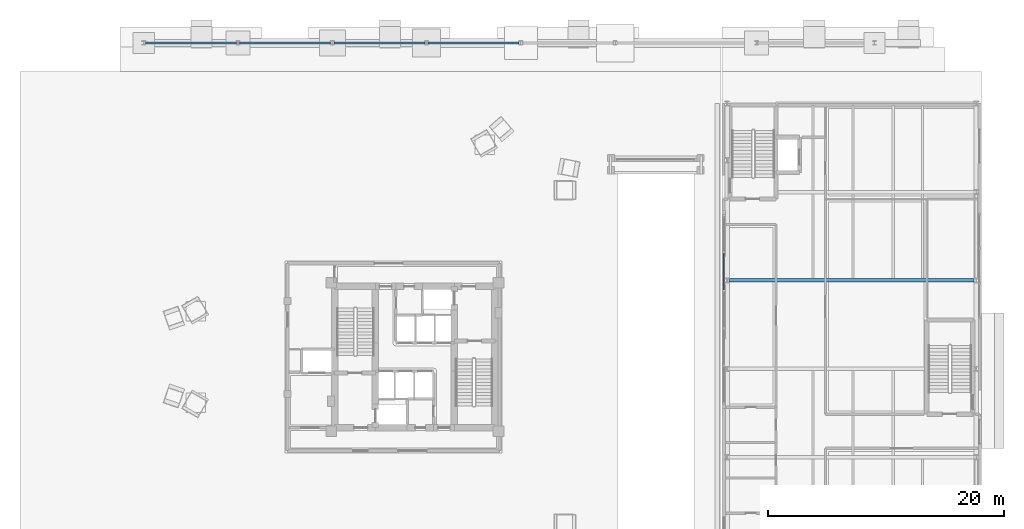
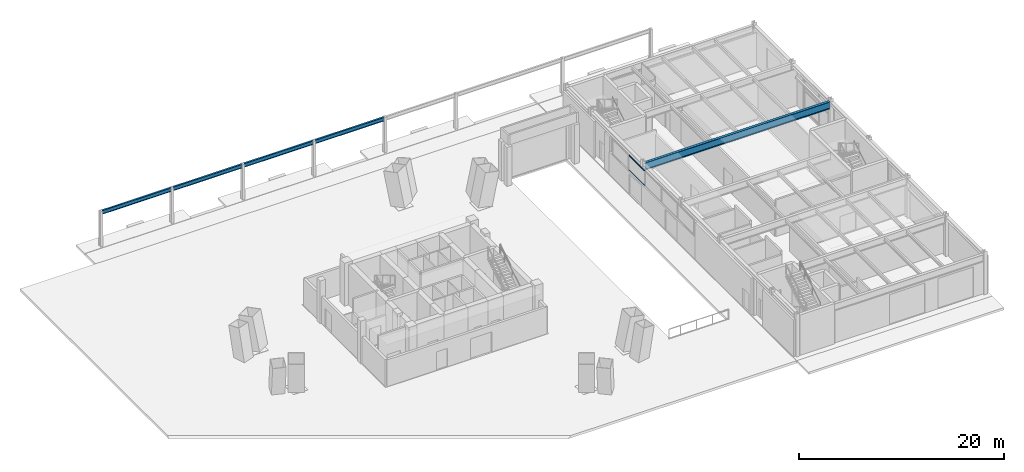
# One storey, part 8 of 21: 5 beams, 2 members, 1 element without a shape of its own.
"""IFC4 building model written with IfcOpenShell, lengths in metres."""

from ifc_helpers import new_model, si_unit, direction, frame, origin, origin_2d, place, context, subcontext, project, spatial, hollow_rectangle, i_section, extrude, material, layer, layer_set, material_profile, profile_set, type_object, element, aggregate, save


model = new_model("IFC4")

# Units and contexts
model_context = context("Model", 3, precision=1e-05, world=origin(), true_north=direction((0.0, 1.0)))
body_context = subcontext(model_context, "Body", "Model", "MODEL_VIEW")
ifc_project = project(units=[si_unit("LENGTHUNIT", "METRE"), si_unit("AREAUNIT", "SQUARE_METRE"), si_unit("VOLUMEUNIT", "CUBIC_METRE"), si_unit("PLANEANGLEUNIT", "RADIAN"), si_unit("MASSUNIT", "GRAM", prefix="KILO")], contexts=[model_context])

# Site, building, storey
site_placement = place(None, origin())
site = spatial("IfcSite", under=ifc_project, at=site_placement, CompositionType="ELEMENT")
building_placement = place(site_placement, origin())
building = spatial("IfcBuilding", under=site, at=building_placement, Name="Mersakhor Tower and Convention Hall", CompositionType="ELEMENT")
storey_placement = place(building_placement, origin())
storey = spatial("IfcBuildingStorey", under=building, at=storey_placement, Name="L00", CompositionType="ELEMENT", Elevation=0.0)

# Beams
ifc_material_1 = material(Name="Steel S355", Category="steel")
ifc_material_profile_1 = material_profile(ifc_material_1, i_section(OverallWidth=0.19140625, OverallDepth=0.4599609375, WebThickness=0.010009765625, FlangeThickness=0.01611328125, at=origin_2d()), Name="UB 457x191x82")
ifc_profile_set_1 = profile_set([ifc_material_profile_1], Name="Steel S355")
beam_type_1 = type_object("IfcBeamType", Name="BM-FB-457", PredefinedType="BEAM", material=ifc_profile_set_1)
for number, where, z_axis, x_axis, name in (
    (1, (6.139892578125, 53.39990234375, 3.969970703125), (1.0, 0.0, 0.0), (0.0, 1.0, 0.0), "Forecourt Canopy Girder CB-1"),
    (2, (14.139892578125, 53.39990234375, 3.969970703125), (1.0, 0.0, 0.0), (0.0, 1.0, 0.0), "Forecourt Canopy Girder CB-2"),
    (3, (22.139892578125, 53.39990234375, 3.969970703125), (1.0, 0.0, 0.0), (0.0, 1.0, 0.0), "Forecourt Canopy Girder CB-3"),
    (4, (30.139892578125, 53.39990234375, 3.969970703125), (1.0, 0.0, 0.0), (0.0, 1.0, 0.0), "Forecourt Canopy Girder CB-4"),
):
    element("IfcBeam", number, at=place(storey_placement, frame(where, z_axis=z_axis, x_axis=x_axis)), inside=storey, type_object=beam_type_1, Name=name, PredefinedType="BEAM", context=body_context, shape_type="SweptSolid", body=[
        extrude(i_section(OverallWidth=0.19140625, OverallDepth=0.4599609375, WebThickness=0.010009765625, FlangeThickness=0.01611328125, at=origin_2d()), origin(), (0.0, 0.0, 1.0), 7.72021484375),
    ])
ifc_material_2 = material(Name="Steel S355", Category="steel")
ifc_material_profile_2 = material_profile(ifc_material_2, i_section(OverallWidth=0.293701171875, OverallDepth=0.850830078125, WebThickness=0.01611328125, FlangeThickness=0.02685546875, at=origin_2d()), Name="UB 838x292x226")
ifc_profile_set_2 = profile_set([ifc_material_profile_2], Name="Steel S355")
beam_type_2 = type_object("IfcBeamType", Name="BM-PR-838", PredefinedType="BEAM", material=ifc_profile_set_2)
beam_placement = place(storey_placement, frame((55.679931640625, 33.25, 4.3544921875), z_axis=(1.0, 0.0, 0.0), x_axis=(0.0, 1.0, 0.0)))
element("IfcBeam", 5, at=beam_placement, inside=storey, type_object=beam_type_2, Name="Convention L00 Clear-Span Girder CG-5", PredefinedType="BEAM", context=body_context, shape_type="SweptSolid", body=[
    extrude(i_section(OverallWidth=0.293701171875, OverallDepth=0.850830078125, WebThickness=0.01611328125, FlangeThickness=0.02685546875, at=origin_2d()), origin(), (0.0, 0.0, 1.0), 20.7900390625),
])

# Curtain wall, members
ifc_material_3 = material(Name="Dark solar low-E aluminium curtain wall", Category="aluminium")
ifc_layer = layer(ifc_material_3, 0.219970703125)
ifc_layer_set = layer_set([ifc_layer], Name="Dark solar low-E aluminium curtain wall")
curtain_wall_type = type_object("IfcCurtainWallType", Name="CW-SYS-07", PredefinedType="USERDEFINED", material=ifc_layer_set)
curtain_wall_placement = place(storey_placement, origin())
curtain_wall = element("IfcCurtainWall", 6, at=curtain_wall_placement, inside=storey, type_object=curtain_wall_type, Name="Convention L00 West Curtain Wall", ObjectType="CURTAIN WALL", PredefinedType="USERDEFINED")
ifc_material_4 = material(Name="Anodised aluminium EN AW-6063 T6", Category="aluminium")
ifc_material_profile_3 = material_profile(ifc_material_4, hollow_rectangle(XDim=0.06005859375, YDim=0.1201171875, WallThickness=0.0048828125, at=origin_2d()), Name="RHS 120x60x5")
ifc_profile_set_3 = profile_set([ifc_material_profile_3], Name="Anodised aluminium EN AW-6063 T6")
member_type = type_object("IfcMemberType", Name="CWT-120x60", PredefinedType="USERDEFINED", material=ifc_profile_set_3)
member_1_placement = place(storey_placement, frame((55.22509765625, 32.43994140625, 2.6298828125), z_axis=(0.0, 1.0, 0.0), x_axis=(-1.0, 0.0, 0.0)))
member_1 = element("IfcMember", 7, at=member_1_placement, type_object=member_type, Name="CW-07 transom 4.1", ObjectType="TRANSOM", PredefinedType="USERDEFINED", context=body_context, shape_type="SweptSolid", body=[
    extrude(hollow_rectangle(XDim=0.06005859375, YDim=0.1201171875, WallThickness=0.0048828125, at=origin_2d()), origin(), (0.0, 0.0, 1.0), 3.1201171875),
])
member_2_placement = place(storey_placement, frame((55.22509765625, 32.43994140625, 4.3701171875), z_axis=(0.0, 1.0, 0.0), x_axis=(-1.0, 0.0, 0.0)))
member_2 = element("IfcMember", 8, at=member_2_placement, type_object=member_type, Name="CW-07 transom 4.2", ObjectType="TRANSOM", PredefinedType="USERDEFINED", context=body_context, shape_type="SweptSolid", body=[
    extrude(hollow_rectangle(XDim=0.06005859375, YDim=0.1201171875, WallThickness=0.0048828125, at=origin_2d()), origin(), (0.0, 0.0, 1.0), 3.1201171875),
])
aggregate(curtain_wall, [member_1, member_2])

save(model, "model.ifc")
